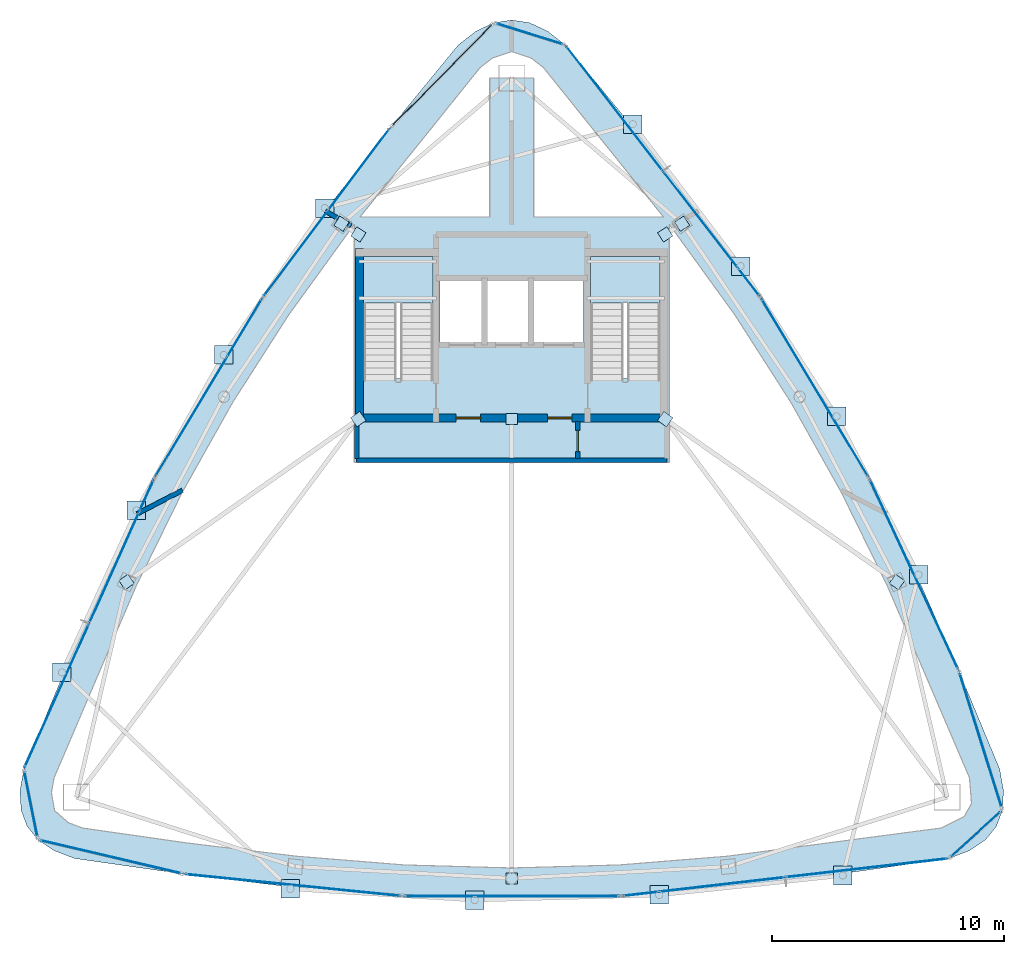
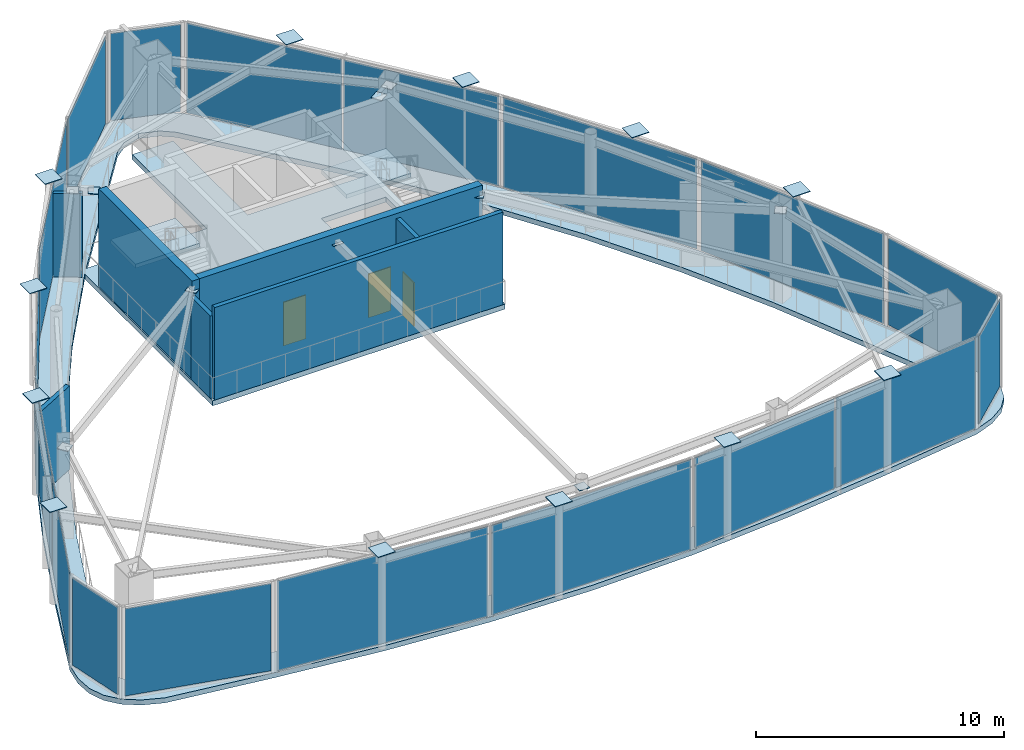
# One storey, part 16 of 20: 40 plates, 7 walls, 3 doors, 3 slabs, 3 openings, 17 elements without a shape of their own.
"""IFC4 building model written with IfcOpenShell, lengths in metres."""

from ifc_helpers import new_model, si_unit, direction, frame, frame_2d, origin, origin_2d, place, context, subcontext, project, spatial, polyline, rectangle, outline, extrude, material, layer, layer_set, type_object, element, fill, aggregate, save


model = new_model("IFC4")

# Units and contexts
model_context = context("Model", 3, precision=1e-05, world=origin(), true_north=direction((0.0, 1.0)))
body_context = subcontext(model_context, "Body", "Model", "MODEL_VIEW")
ifc_project = project(units=[si_unit("LENGTHUNIT", "METRE"), si_unit("AREAUNIT", "SQUARE_METRE"), si_unit("VOLUMEUNIT", "CUBIC_METRE"), si_unit("PLANEANGLEUNIT", "RADIAN"), si_unit("MASSUNIT", "GRAM", prefix="KILO")], contexts=[model_context])

# Site, building, storey
site_placement = place(None, origin())
site = spatial("IfcSite", under=ifc_project, at=site_placement, CompositionType="ELEMENT")
building_placement = place(site_placement, origin())
building = spatial("IfcBuilding", under=site, at=building_placement, Name="Orvanel Arch Residences", CompositionType="ELEMENT")
storey_placement = place(building_placement, frame((0.0, 0.0, 300.5)))
storey = spatial("IfcBuildingStorey", under=building, at=storey_placement, Name="L84", CompositionType="ELEMENT", Elevation=300.5)

# Plates
ifc_material_1 = material(Name="Structural steel AS/NZS 3678 Grade 350", Category="steel")
ifc_layer_1 = layer(ifc_material_1, 0.028076171875)
ifc_layer_set_1 = layer_set([ifc_layer_1], Name="Structural steel AS/NZS 3678 Grade 350")
plate_type_1 = type_object("IfcPlateType", Name="PL-CAP-28", PredefinedType="SHEET", material=ifc_layer_set_1)
for number, where, z_axis, x_axis, name in (
    (1, (26.375, 26.675048828125, 4.2861328125), (0.0, 0.0, 1.0), (0.818149717425, 0.575005252043, 0.0), "L84 hollow member end cap plate"),
    (2, (16.366943359375, 19.64208984375, 4.2861328125), (0.0, 0.0, 1.0), (0.818149717425, 0.575005252043, 0.0), "L84 hollow member end cap plate"),
    (3, (39.625, 26.675048828125, 4.2861328125), (0.0, 0.0, 1.0), (-0.818149717425, 0.575005252043, 0.0), "L84 hollow member end cap plate"),
    (4, (49.633056640625, 19.64208984375, 4.2861328125), (0.0, 0.0, 1.0), (-0.818149717425, 0.575005252043, 0.0), "L84 hollow member end cap plate"),
    (5, (26.375, 34.64990234375, 4.2861328125), (0.0, 0.0, 1.0), (-0.843391445813, 0.537299608347, 0.0), "L84 hollow member end cap plate"),
    (6, (25.64794921875, 35.113037109375, 4.2861328125), (0.0, 0.0, 1.0), (-0.843391445813, 0.537299608347, 0.0), "L84 hollow member end cap plate"),
    (7, (39.625, 34.64990234375, 4.2861328125), (0.0, 0.0, 1.0), (0.843391445813, 0.537299608347, 0.0), "L84 hollow member end cap plate"),
    (8, (40.35205078125, 35.113037109375, 4.2861328125), (0.0, 0.0, 1.0), (0.843391445813, 0.537299608347, 0.0), "L84 hollow member end cap plate"),
    (9, (33.0, 26.675048828125, 4.2861328125), (0.0, 0.0, 1.0), (0.0, 1.0, 0.0), "L84 hollow member end cap plate"),
    (10, (33.0, 6.843994140625, 4.2861328125), (0.0, 0.0, 1.0), (0.0, 1.0, 0.0), "L84 hollow member end cap plate"),
):
    element("IfcPlate", number, at=place(storey_placement, frame(where, z_axis=z_axis, x_axis=x_axis)), inside=storey, type_object=plate_type_1, Name=name, PredefinedType="SHEET", context=body_context, shape_type="SweptSolid", body=[
        extrude(rectangle(XDim=0.47998046875, YDim=0.47998046875, at=origin_2d()), origin(), (0.0, 0.0, 1.0), 0.028076171875),
    ])
ifc_layer_2 = layer(ifc_material_1, 0.031982421875)
ifc_layer_set_2 = layer_set([ifc_layer_2], Name="Structural steel AS/NZS 3678 Grade 350")
plate_type_2 = type_object("IfcPlateType", Name="PL-CAP-32", PredefinedType="SHEET", material=ifc_layer_set_2)
for number, where, z_axis, x_axis, name in (
    (11, (24.929931640625, 35.785888671875, 4.7841796875), (0.0, 0.0, 1.0), (1.0, 0.0, 0.0), "L84 hollow member end cap plate"),
    (12, (20.56201171875, 29.446044921875, 4.7841796875), (0.0, 0.0, 1.0), (1.0, 0.0, 0.0), "L84 hollow member end cap plate"),
    (13, (16.794921875, 22.73388671875, 4.7841796875), (0.0, 0.0, 1.0), (1.0, 0.0, 0.0), "L84 hollow member end cap plate"),
    (14, (13.577880859375, 15.740966796875, 4.7841796875), (0.0, 0.0, 1.0), (1.0, 0.0, 0.0), "L84 hollow member end cap plate"),
    (15, (23.44189453125, 6.39404296875, 4.7841796875), (0.0, 0.0, 1.0), (1.0, 0.0, 0.0), "L84 hollow member end cap plate"),
    (16, (31.39892578125, 5.908935546875, 4.7841796875), (0.0, 0.0, 1.0), (1.0, 0.0, 0.0), "L84 hollow member end cap plate"),
    (17, (39.366943359375, 6.131103515625, 4.7841796875), (0.0, 0.0, 1.0), (1.0, 0.0, 0.0), "L84 hollow member end cap plate"),
    (18, (47.29296875, 6.969970703125, 4.7841796875), (0.0, 0.0, 1.0), (1.0, 0.0, 0.0), "L84 hollow member end cap plate"),
    (19, (50.56396484375, 19.9580078125, 4.7841796875), (0.0, 0.0, 1.0), (1.0, 0.0, 0.0), "L84 hollow member end cap plate"),
    (20, (47.027099609375, 26.7958984375, 4.7841796875), (0.0, 0.0, 1.0), (1.0, 0.0, 0.0), "L84 hollow member end cap plate"),
    (21, (42.87890625, 33.280029296875, 4.7841796875), (0.0, 0.0, 1.0), (1.0, 0.0, 0.0), "L84 hollow member end cap plate"),
    (22, (38.22412109375, 39.409912109375, 4.7841796875), (0.0, 0.0, 1.0), (1.0, 0.0, 0.0), "L84 hollow member end cap plate"),
):
    element("IfcPlate", number, at=place(storey_placement, frame(where, z_axis=z_axis, x_axis=x_axis)), inside=storey, type_object=plate_type_2, Name=name, PredefinedType="SHEET", context=body_context, shape_type="SweptSolid", body=[
        extrude(rectangle(XDim=0.800048828125, YDim=0.800048828125, at=origin_2d()), origin(), (0.0, 0.0, 1.0), 0.031982421875),
    ])

# Curtain wall, plate
ifc_material_2 = material(Name="Bronze-anodised aluminium AA6063-T6", Category="aluminium")
ifc_layer_3 = layer(ifc_material_2, 0.2099609375)
ifc_layer_set_3 = layer_set([ifc_layer_3], Name="Bronze-anodised aluminium AA6063-T6")
curtain_wall_type = type_object("IfcCurtainWallType", Name="CW7-TOP-SYS", PredefinedType="NOTDEFINED", material=ifc_layer_set_3)
curtain_wall_1_placement = place(storey_placement, origin())
curtain_wall_1 = element("IfcCurtainWall", 23, at=curtain_wall_1_placement, inside=storey, type_object=curtain_wall_type, Name="L84 CW7-TOP-SYS Unitised Curtain Wall", PredefinedType="NOTDEFINED")
ifc_material_3 = material(Name="Double-glazed solar-control low-E safety glass", Category="glass")
ifc_layer_4 = layer(ifc_material_3, 0.031982421875)
ifc_layer_set_4 = layer_set([ifc_layer_4], Name="Double-glazed solar-control low-E safety glass")
plate_type_3 = type_object("IfcPlateType", Name="PNL-GLZ-32", PredefinedType="CURTAIN_PANEL", material=ifc_layer_set_4)
plate_1_placement = place(storey_placement, frame((33.771484375, 43.30859375, 0.1298828125), z_axis=(0.0, 0.0, 1.0), x_axis=(-0.954819263057, 0.297187104186, 0.0)))
plate_1 = element("IfcPlate", 24, at=plate_1_placement, type_object=plate_type_3, Name="CW-S7 panel 1.1", PredefinedType="CURTAIN_PANEL", context=body_context, shape_type="SweptSolid", body=[
    extrude(rectangle(XDim=2.893310546875, YDim=0.031982421875, at=origin_2d()), origin(), (0.0, 0.0, 1.0), 4.2900390625),
])
aggregate(curtain_wall_1, [plate_1])

curtain_wall_2_placement = place(storey_placement, origin())
curtain_wall_2 = element("IfcCurtainWall", 25, at=curtain_wall_2_placement, inside=storey, type_object=curtain_wall_type, Name="L84 CW7-TOP-SYS Unitised Curtain Wall", PredefinedType="NOTDEFINED")
plate_2_placement = place(storey_placement, frame((29.99560546875, 41.528564453125, 0.1298828125), z_axis=(0.0, 0.0, 1.0), x_axis=(-0.702658700907, -0.71152705503, 0.0)))
plate_2 = element("IfcPlate", 26, at=plate_2_placement, type_object=plate_type_3, Name="CW-S7 panel 1.1", PredefinedType="CURTAIN_PANEL", context=body_context, shape_type="SweptSolid", body=[
    extrude(rectangle(XDim=6.0146484375, YDim=0.031982421875, at=origin_2d()), origin(), (0.0, 0.0, 1.0), 4.2900390625),
])
aggregate(curtain_wall_2, [plate_2])

curtain_wall_3_placement = place(storey_placement, origin())
curtain_wall_3 = element("IfcCurtainWall", 27, at=curtain_wall_3_placement, inside=storey, type_object=curtain_wall_type, Name="L84 CW7-TOP-SYS Unitised Curtain Wall", PredefinedType="NOTDEFINED")
plate_3_placement = place(storey_placement, frame((12.236572265625, 10.03857421875, 0.1298828125), z_axis=(0.0, 0.0, 1.0), x_axis=(0.195615366274, -0.980680696495, 0.0)))
plate_3 = element("IfcPlate", 28, at=plate_3_placement, type_object=plate_type_3, Name="CW-S7 panel 1.1", PredefinedType="CURTAIN_PANEL", context=body_context, shape_type="SweptSolid", body=[
    extrude(rectangle(XDim=2.7724609375, YDim=0.031982421875, at=origin_2d()), origin(), (0.0, 0.0, 1.0), 4.2900390625),
])
aggregate(curtain_wall_3, [plate_3])

curtain_wall_4_placement = place(storey_placement, origin())
curtain_wall_4 = element("IfcCurtainWall", 29, at=curtain_wall_4_placement, inside=storey, type_object=curtain_wall_type, Name="L84 CW7-TOP-SYS Unitised Curtain Wall", PredefinedType="NOTDEFINED")
plate_4_placement = place(storey_placement, frame((15.689453125, 7.77197265625, 0.1298828125), z_axis=(0.0, 0.0, 1.0), x_axis=(0.973510919271, -0.22864052585, 0.0)))
plate_4 = element("IfcPlate", 30, at=plate_4_placement, type_object=plate_type_3, Name="CW-S7 panel 1.1", PredefinedType="CURTAIN_PANEL", context=body_context, shape_type="SweptSolid", body=[
    extrude(rectangle(XDim=6.12939453125, YDim=0.031982421875, at=origin_2d()), origin(), (0.0, 0.0, 1.0), 4.2900390625),
])
aggregate(curtain_wall_4, [plate_4])

curtain_wall_5_placement = place(storey_placement, origin())
curtain_wall_5 = element("IfcCurtainWall", 31, at=curtain_wall_5_placement, inside=storey, type_object=curtain_wall_type, Name="L84 CW7-TOP-SYS Unitised Curtain Wall", PredefinedType="NOTDEFINED")
plate_5_placement = place(storey_placement, frame((53.035400390625, 8.75244140625, 0.1298828125), z_axis=(0.0, 0.0, 1.0), x_axis=(0.740131415499, 0.672462257522, 0.0)))
plate_5 = element("IfcPlate", 32, at=plate_5_placement, type_object=plate_type_3, Name="CW-S7 panel 1.1", PredefinedType="CURTAIN_PANEL", context=body_context, shape_type="SweptSolid", body=[
    extrude(rectangle(XDim=2.773681640625, YDim=0.031982421875, at=origin_2d()), origin(), (0.0, 0.0, 1.0), 4.2900390625),
])
aggregate(curtain_wall_5, [plate_5])

curtain_wall_6_placement = place(storey_placement, origin())
curtain_wall_6 = element("IfcCurtainWall", 33, at=curtain_wall_6_placement, inside=storey, type_object=curtain_wall_type, Name="L84 CW7-TOP-SYS Unitised Curtain Wall", PredefinedType="NOTDEFINED")
plate_6_placement = place(storey_placement, frame((53.2451171875, 12.8095703125, 0.1298828125), z_axis=(0.0, 0.0, 1.0), x_axis=(-0.298901573542, 0.954283945864, 0.0)))
plate_6 = element("IfcPlate", 34, at=plate_6_placement, type_object=plate_type_3, Name="CW-S7 panel 1.1", PredefinedType="CURTAIN_PANEL", context=body_context, shape_type="SweptSolid", body=[
    extrude(rectangle(XDim=5.9697265625, YDim=0.031982421875, at=origin_2d()), origin(), (0.0, 0.0, 1.0), 4.2900390625),
])
aggregate(curtain_wall_6, [plate_6])

curtain_wall_7_placement = place(storey_placement, origin())
curtain_wall_7 = element("IfcCurtainWall", 35, at=curtain_wall_7_placement, inside=storey, type_object=curtain_wall_type, Name="L84 CW7-TOP-SYS Unitised Curtain Wall", PredefinedType="NOTDEFINED")
plate_7_placement = place(storey_placement, frame((25.009521484375, 35.60498046875, 0.06494140625), z_axis=(0.0, 0.0, 1.0), x_axis=(-0.600876351509, -0.799341985759, 0.0)))
plate_7 = element("IfcPlate", 36, at=plate_7_placement, type_object=plate_type_3, Name="CW-S7 panel 1.1", PredefinedType="CURTAIN_PANEL", context=body_context, shape_type="SweptSolid", body=[
    extrude(rectangle(XDim=8.97509765625, YDim=0.031982421875, at=origin_2d()), origin(), (0.0, 0.0, 1.0), 4.419921875),
])
aggregate(curtain_wall_7, [plate_7])

curtain_wall_8_placement = place(storey_placement, origin())
curtain_wall_8 = element("IfcCurtainWall", 37, at=curtain_wall_8_placement, inside=storey, type_object=curtain_wall_type, Name="L84 CW7-TOP-SYS Unitised Curtain Wall", PredefinedType="NOTDEFINED")
plate_8_placement = place(storey_placement, frame((19.912109375, 28.034423828125, 0.06494140625), z_axis=(0.0, 0.0, 1.0), x_axis=(-0.514447133788, -0.857522096821, 0.0)))
plate_8 = element("IfcPlate", 38, at=plate_8_placement, type_object=plate_type_3, Name="CW-S7 panel 1.1", PredefinedType="CURTAIN_PANEL", context=body_context, shape_type="SweptSolid", body=[
    extrude(rectangle(XDim=8.923828125, YDim=0.031982421875, at=origin_2d()), origin(), (0.0, 0.0, 1.0), 4.419921875),
])
aggregate(curtain_wall_8, [plate_8])

# Curtain wall, plates
curtain_wall_9_placement = place(storey_placement, origin())
curtain_wall_9 = element("IfcCurtainWall", 39, at=curtain_wall_9_placement, inside=storey, type_object=curtain_wall_type, Name="L84 CW7-TOP-SYS Unitised Curtain Wall", PredefinedType="NOTDEFINED")
plate_9_placement = place(storey_placement, frame((16.147216796875, 20.96044921875, 0.06494140625), z_axis=(0.0, 0.0, 1.0), x_axis=(-0.40935286193, -0.912376147447, 0.0)))
plate_9 = element("IfcPlate", 40, at=plate_9_placement, type_object=plate_type_3, Name="CW-S7 panel 1.1", PredefinedType="CURTAIN_PANEL", context=body_context, shape_type="SweptSolid", body=[
    extrude(rectangle(XDim=6.751953125, YDim=0.031982421875, at=origin_2d()), origin(), (0.0, 0.0, 1.0), 4.419921875),
])
plate_10_placement = place(storey_placement, frame((13.352783203125, 14.731689453125, 0.06494140625), z_axis=(0.0, 0.0, 1.0), x_axis=(-0.40935286193, -0.912376147447, 0.0)))
plate_10 = element("IfcPlate", 41, at=plate_10_placement, type_object=plate_type_3, Name="CW-S7 panel 2.1", PredefinedType="CURTAIN_PANEL", context=body_context, shape_type="SweptSolid", body=[
    extrude(rectangle(XDim=6.751953125, YDim=0.031982421875, at=origin_2d()), origin(), (0.0, 0.0, 1.0), 4.419921875),
])
aggregate(curtain_wall_9, [plate_9, plate_10])

# Curtain wall, plate
curtain_wall_10_placement = place(storey_placement, origin())
curtain_wall_10 = element("IfcCurtainWall", 42, at=curtain_wall_10_placement, inside=storey, type_object=curtain_wall_type, Name="L84 CW7-TOP-SYS Unitised Curtain Wall", PredefinedType="NOTDEFINED")
plate_11_placement = place(storey_placement, frame((23.55859375, 6.554931640625, 0.06494140625), z_axis=(0.0, 0.0, 1.0), x_axis=(0.994932912487, -0.10054103466, 0.0)))
plate_11 = element("IfcPlate", 43, at=plate_11_placement, type_object=plate_type_3, Name="CW-S7 panel 1.1", PredefinedType="CURTAIN_PANEL", context=body_context, shape_type="SweptSolid", body=[
    extrude(rectangle(XDim=9.298828125, YDim=0.031982421875, at=origin_2d()), origin(), (0.0, 0.0, 1.0), 4.419921875),
])
aggregate(curtain_wall_10, [plate_11])

curtain_wall_11_placement = place(storey_placement, origin())
curtain_wall_11 = element("IfcCurtainWall", 44, at=curtain_wall_11_placement, inside=storey, type_object=curtain_wall_type, Name="L84 CW7-TOP-SYS Unitised Curtain Wall", PredefinedType="NOTDEFINED")
plate_12_placement = place(storey_placement, frame((33.0, 6.077880859375, 0.06494140625), z_axis=(0.0, 0.0, 1.0), x_axis=(1.0, 0.0, 0.0)))
plate_12 = element("IfcPlate", 45, at=plate_12_placement, type_object=plate_type_3, Name="CW-S7 panel 1.1", PredefinedType="CURTAIN_PANEL", context=body_context, shape_type="SweptSolid", body=[
    extrude(rectangle(XDim=9.251953125, YDim=0.031982421875, at=origin_2d()), origin(), (0.0, 0.0, 1.0), 4.419921875),
])
aggregate(curtain_wall_11, [plate_12])

# Curtain wall, plates
curtain_wall_12_placement = place(storey_placement, origin())
curtain_wall_12 = element("IfcCurtainWall", 46, at=curtain_wall_12_placement, inside=storey, type_object=curtain_wall_type, Name="L84 CW7-TOP-SYS Unitised Curtain Wall", PredefinedType="NOTDEFINED")
plate_13_placement = place(storey_placement, frame((41.2900390625, 6.488037109375, 0.06494140625), z_axis=(0.0, 0.0, 1.0), x_axis=(0.9934526127, 0.11424494002, 0.0)))
plate_13 = element("IfcPlate", 47, at=plate_13_placement, type_object=plate_type_3, Name="CW-S7 panel 1.1", PredefinedType="CURTAIN_PANEL", context=body_context, shape_type="SweptSolid", body=[
    extrude(rectangle(XDim=6.9951171875, YDim=0.031982421875, at=origin_2d()), origin(), (0.0, 0.0, 1.0), 4.419921875),
])
plate_14_placement = place(storey_placement, frame((48.31396484375, 7.2958984375, 0.06494140625), z_axis=(0.0, 0.0, 1.0), x_axis=(0.9934526127, 0.11424494002, 0.0)))
plate_14 = element("IfcPlate", 48, at=plate_14_placement, type_object=plate_type_3, Name="CW-S7 panel 2.1", PredefinedType="CURTAIN_PANEL", context=body_context, shape_type="SweptSolid", body=[
    extrude(rectangle(XDim=6.9951171875, YDim=0.031982421875, at=origin_2d()), origin(), (0.0, 0.0, 1.0), 4.419921875),
])
aggregate(curtain_wall_12, [plate_13, plate_14])

# Curtain wall, plate
curtain_wall_13_placement = place(storey_placement, origin())
curtain_wall_13 = element("IfcCurtainWall", 49, at=curtain_wall_13_placement, inside=storey, type_object=curtain_wall_type, Name="L84 CW7-TOP-SYS Unitised Curtain Wall", PredefinedType="NOTDEFINED")
plate_15_placement = place(storey_placement, frame((50.366943359375, 19.973388671875, 0.06494140625), z_axis=(0.0, 0.0, 1.0), x_axis=(-0.422363438385, 0.906426569511, 0.0)))
plate_15 = element("IfcPlate", 50, at=plate_15_placement, type_object=plate_type_3, Name="CW-S7 panel 1.1", PredefinedType="CURTAIN_PANEL", context=body_context, shape_type="SweptSolid", body=[
    extrude(rectangle(XDim=8.974853515625, YDim=0.031982421875, at=origin_2d()), origin(), (0.0, 0.0, 1.0), 4.419921875),
])
aggregate(curtain_wall_13, [plate_15])

curtain_wall_14_placement = place(storey_placement, origin())
curtain_wall_14 = element("IfcCurtainWall", 51, at=curtain_wall_14_placement, inside=storey, type_object=curtain_wall_type, Name="L84 CW7-TOP-SYS Unitised Curtain Wall", PredefinedType="NOTDEFINED")
plate_16_placement = place(storey_placement, frame((46.087890625, 28.034423828125, 0.06494140625), z_axis=(0.0, 0.0, 1.0), x_axis=(-0.514447133788, 0.857522096821, 0.0)))
plate_16 = element("IfcPlate", 52, at=plate_16_placement, type_object=plate_type_3, Name="CW-S7 panel 1.1", PredefinedType="CURTAIN_PANEL", context=body_context, shape_type="SweptSolid", body=[
    extrude(rectangle(XDim=8.923828125, YDim=0.031982421875, at=origin_2d()), origin(), (0.0, 0.0, 1.0), 4.419921875),
])
aggregate(curtain_wall_14, [plate_16])

# Curtain wall, plates
curtain_wall_15_placement = place(storey_placement, origin())
curtain_wall_15 = element("IfcCurtainWall", 53, at=curtain_wall_15_placement, inside=storey, type_object=curtain_wall_type, Name="L84 CW7-TOP-SYS Unitised Curtain Wall", PredefinedType="NOTDEFINED")
plate_17_placement = place(storey_placement, frame((41.619384765625, 34.686279296875, 0.06494140625), z_axis=(0.0, 0.0, 1.0), x_axis=(-0.612259873102, 0.790656592833, 0.0)))
plate_17 = element("IfcPlate", 54, at=plate_17_placement, type_object=plate_type_3, Name="CW-S7 panel 1.1", PredefinedType="CURTAIN_PANEL", context=body_context, shape_type="SweptSolid", body=[
    extrude(rectangle(XDim=6.75146484375, YDim=0.031982421875, at=origin_2d()), origin(), (0.0, 0.0, 1.0), 4.419921875),
])
plate_18_placement = place(storey_placement, frame((37.439697265625, 40.083740234375, 0.06494140625), z_axis=(0.0, 0.0, 1.0), x_axis=(-0.612259873102, 0.790656592833, 0.0)))
plate_18 = element("IfcPlate", 55, at=plate_18_placement, type_object=plate_type_3, Name="CW-S7 panel 2.1", PredefinedType="CURTAIN_PANEL", context=body_context, shape_type="SweptSolid", body=[
    extrude(rectangle(XDim=6.75146484375, YDim=0.031982421875, at=origin_2d()), origin(), (0.0, 0.0, 1.0), 4.419921875),
])
aggregate(curtain_wall_15, [plate_17, plate_18])

# Slab
ifc_material_4 = material(Name="Concrete N40 (40 MPa)", Category="concrete")
ifc_layer_5 = layer(ifc_material_4, 0.25)
ifc_layer_set_5 = layer_set([ifc_layer_5], Name="Concrete N40 (40 MPa)")
slab_type_1 = type_object("IfcSlabType", Name="SLB-CRN-250", PredefinedType="FLOOR", material=ifc_layer_set_5)
slab_1_placement = place(storey_placement, frame((0.0, 0.0, -0.25)))
element("IfcSlab", 56, at=slab_1_placement, inside=storey, type_object=slab_type_1, Name="L84 Crown Conservatory Ring Gallery Slab", PredefinedType="FLOOR", context=body_context, shape_type="SweptSolid", body=[
    extrude(outline(polyline([(35.31494140625, 42.827880859375), (34.54296875, 43.428955078125), (33.77197265625, 43.7890625), (33.0, 43.908935546875), (32.22802734375, 43.7890625), (31.45703125, 43.428955078125), (30.68505859375, 42.827880859375), (27.762939453125, 39.26806640625), (24.927978515625, 35.654052734375), (22.256103515625, 31.94189453125), (19.797119140625, 28.10400390625), (17.568115234375, 24.126953125), (15.552001953125, 20.02197265625), (13.697998046875, 15.820068359375), (11.931884765625, 11.56494140625), (11.76611328125, 10.6220703125), (11.81201171875, 9.799072265625), (12.071044921875, 9.094970703125), (12.541015625, 8.511962890625), (13.222900390625, 8.049072265625), (14.116943359375, 7.7060546875), (18.837890625, 7.031982421875), (23.55908203125, 6.4599609375), (28.279052734375, 6.077880859375), (33.0, 5.944091796875), (37.720947265625, 6.077880859375), (42.44091796875, 6.4599609375), (47.162109375, 7.031982421875), (51.883056640625, 7.7060546875), (52.777099609375, 8.049072265625), (53.458984375, 8.511962890625), (53.928955078125, 9.094970703125), (54.18798828125, 9.799072265625), (54.23388671875, 10.6220703125), (54.068115234375, 11.56494140625), (52.302001953125, 15.820068359375), (50.447998046875, 20.02197265625), (48.431884765625, 24.126953125), (46.202880859375, 28.10400390625), (43.743896484375, 31.94189453125), (41.072021484375, 35.654052734375), (38.237060546875, 39.26806640625), (35.31494140625, 42.827880859375)]), holes=[polyline([(26.60009765625, 28.429931640625), (26.60009765625, 33.699951171875), (29.60009765625, 33.699951171875), (29.60009765625, 28.429931640625), (26.60009765625, 28.429931640625)]), polyline([(36.39990234375, 28.429931640625), (36.39990234375, 33.699951171875), (39.39990234375, 33.699951171875), (39.39990234375, 28.429931640625), (36.39990234375, 28.429931640625)]), polyline([(29.89990234375, 32.64990234375), (31.75, 32.64990234375), (31.75, 29.949951171875), (29.89990234375, 29.949951171875), (29.89990234375, 32.64990234375)]), polyline([(31.89990234375, 32.64990234375), (33.75, 32.64990234375), (33.75, 29.949951171875), (31.89990234375, 29.949951171875), (31.89990234375, 32.64990234375)]), polyline([(33.89990234375, 32.64990234375), (36.10009765625, 32.64990234375), (36.10009765625, 29.949951171875), (33.89990234375, 29.949951171875), (33.89990234375, 32.64990234375)]), polyline([(39.554931640625, 35.39990234375), (33.949951171875, 35.39990234375), (33.949951171875, 41.39794921875), (32.050048828125, 41.39794921875), (32.050048828125, 35.39990234375), (26.445068359375, 35.39990234375), (31.633056640625, 41.85498046875), (32.166015625, 42.27001953125), (33.0, 42.54296875), (33.833984375, 42.27001953125), (34.366943359375, 41.85498046875), (39.554931640625, 35.39990234375)]), polyline([(42.626953125, 31.18310546875), (45.044921875, 27.408935546875), (47.236083984375, 23.4990234375), (49.22412109375, 19.451904296875), (52.763916015625, 11.18505859375), (52.85107421875, 10.075927734375), (52.533935546875, 9.51611328125), (51.5419921875, 9.02099609375), (42.304931640625, 7.802978515625), (37.64697265625, 7.426025390625), (33.0, 7.294921875), (28.35302734375, 7.426025390625), (23.695068359375, 7.802978515625), (19.014892578125, 8.3701171875), (14.4580078125, 9.02099609375), (13.85205078125, 9.25390625), (13.260986328125, 9.76904296875), (13.123046875, 10.5419921875), (13.236083984375, 11.18505859375), (16.77587890625, 19.451904296875), (18.763916015625, 23.4990234375), (20.955078125, 27.408935546875), (23.373046875, 31.18310546875), (26.199951171875, 35.087890625), (26.199951171875, 24.800048828125), (39.800048828125, 24.800048828125), (39.800048828125, 35.087890625), (42.626953125, 31.18310546875)])]), origin(), (0.0, 0.0, 1.0), 0.25),
])

# Stair, slab
ifc_material_5 = material(Name="Precast concrete N50 (50 MPa)", Category="concrete")
stair_type = type_object("IfcStairType", Name="STR-DOG-184", PredefinedType="USERDEFINED", material=ifc_material_5)
stair_1_placement = place(storey_placement, origin())
stair_1 = element("IfcStair", 57, at=stair_1_placement, inside=storey, type_object=stair_type, Name="L84 Fire-Isolated Core Exit Stair 1", ObjectType="TWO_RETURN_STAIR", PredefinedType="USERDEFINED")
ifc_layer_6 = layer(ifc_material_4, 0.199951171875)
ifc_layer_set_6 = layer_set([ifc_layer_6], Name="Concrete N40 (40 MPa)")
slab_type_2 = type_object("IfcSlabType", Name="SLB-LND-200", PredefinedType="LANDING", material=ifc_layer_set_6)
slab_2_placement = place(storey_placement, frame((0.0, 0.0, 2.199951171875)))
slab_2 = element("IfcSlab", 58, at=slab_2_placement, type_object=slab_type_2, Name="ST-1 landing 1", PredefinedType="LANDING", context=body_context, shape_type="SweptSolid", body=[
    extrude(outline(polyline([(29.60009765625, 31.679931640625), (29.60009765625, 33.699951171875), (26.60009765625, 33.699951171875), (26.60009765625, 31.679931640625), (29.60009765625, 31.679931640625)])), origin(), (0.0, 0.0, 1.0), 0.199951171875),
])
aggregate(stair_1, [slab_2])

stair_2_placement = place(storey_placement, origin())
stair_2 = element("IfcStair", 59, at=stair_2_placement, inside=storey, type_object=stair_type, Name="L84 Fire-Isolated Core Exit Stair 2", ObjectType="TWO_RETURN_STAIR", PredefinedType="USERDEFINED")
slab_3_placement = place(storey_placement, frame((0.0, 0.0, 2.199951171875)))
slab_3 = element("IfcSlab", 60, at=slab_3_placement, type_object=slab_type_2, Name="ST-2 landing 1", PredefinedType="LANDING", context=body_context, shape_type="SweptSolid", body=[
    extrude(outline(polyline([(39.39990234375, 31.679931640625), (39.39990234375, 33.699951171875), (36.39990234375, 33.699951171875), (36.39990234375, 31.679931640625), (39.39990234375, 31.679931640625)])), origin(), (0.0, 0.0, 1.0), 0.199951171875),
])
aggregate(stair_2, [slab_3])

# Wall, openings, doors
ifc_material_6 = material(Name="Concrete N50 (50 MPa)", Category="concrete")
ifc_layer_7 = layer(ifc_material_6, 0.35009765625)
ifc_layer_set_7 = layer_set([ifc_layer_7], Name="Concrete N50 (50 MPa)")
wall_type_1 = type_object("IfcWallType", Name="SW-CORE-350", PredefinedType="SHEAR", material=ifc_layer_set_7)
wall_1_placement = place(storey_placement, frame((26.25, 26.72509765625, 0.0), z_axis=(0.0, 0.0, 1.0), x_axis=(1.0, 0.0, 0.0)))
wall_1 = element("IfcWall", 61, at=wall_1_placement, inside=storey, type_object=wall_type_1, Name="L84 South Core Shear Wall", PredefinedType="SHEAR", context=body_context, shape_type="SweptSolid", body=[
    extrude(rectangle(XDim=13.5, YDim=0.35009765625, at=frame_2d((6.75, 0.0))), origin(), (0.0, 0.0, 1.0), 4.800048828125),
])
opening_1_placement = place(wall_1_placement, frame((4.35009765625, 0.0, 0.0)))
opening_1 = element("IfcOpeningElement", 62, at=opening_1_placement, cuts=wall_1, Name="Opening DF-060", PredefinedType="OPENING", context=body_context, shape_type="SweptSolid", body=[
    extrude(rectangle(XDim=1.050048828125, YDim=2.14990234375, at=frame_2d((0.52490234375, 1.074951171875))), frame((0.0, 0.18505859375, 0.0), z_axis=(0.0, -1.0, 0.0), x_axis=(1.0, 0.0, 0.0)), (0.0, 0.0, 1.0), 0.3701171875),
])
opening_2_placement = place(wall_1_placement, frame((8.300048828125, 0.0, 0.0)))
opening_2 = element("IfcOpeningElement", 63, at=opening_2_placement, cuts=wall_1, Name="Opening DF-060", PredefinedType="OPENING", context=body_context, shape_type="SweptSolid", body=[
    extrude(rectangle(XDim=1.050048828125, YDim=2.14990234375, at=frame_2d((0.52490234375, 1.074951171875))), frame((0.0, 0.18505859375, 0.0), z_axis=(0.0, -1.0, 0.0), x_axis=(1.0, 0.0, 0.0)), (0.0, 0.0, 1.0), 0.3701171875),
])
ifc_material_7 = material(Name="Galvanised steel fire-resisting door assembly", Category="steel")
door_type_1 = type_object("IfcDoorType", Name="DR-FD60-1050", OperationType="NOTDEFINED", PredefinedType="DOOR", material=ifc_material_7)
door_1_placement = place(opening_1_placement, origin())
door_1 = element("IfcDoor", 64, at=door_1_placement, inside=storey, type_object=door_type_1, Name="DR-L84-FFL-W L84 West Smoke Lobby Door", OperationType="SINGLE_SWING_LEFT", OverallHeight=2.14990234375, OverallWidth=1.050048828125, PredefinedType="DOOR", context=body_context, shape_type="SweptSolid", body=[
    extrude(rectangle(XDim=1.050048828125, YDim=2.14990234375, at=frame_2d((0.52490234375, 1.074951171875))), frame((0.0, 0.02490234375, 0.0), z_axis=(0.0, -1.0, 0.0), x_axis=(1.0, 0.0, 0.0)), (0.0, 0.0, 1.0), 0.050048828125),
])
fill(opening_1, door_1)
door_2_placement = place(opening_2_placement, origin())
door_2 = element("IfcDoor", 65, at=door_2_placement, inside=storey, type_object=door_type_1, Name="DR-L84-FFL-E L84 East Smoke Lobby Door", OperationType="SINGLE_SWING_RIGHT", OverallHeight=2.14990234375, OverallWidth=1.050048828125, PredefinedType="DOOR", context=body_context, shape_type="SweptSolid", body=[
    extrude(rectangle(XDim=1.050048828125, YDim=2.14990234375, at=frame_2d((0.52490234375, 1.074951171875))), frame((0.0, 0.02490234375, 0.0), z_axis=(0.0, -1.0, 0.0), x_axis=(1.0, 0.0, 0.0)), (0.0, 0.0, 1.0), 0.050048828125),
])
fill(opening_2, door_2)

# Walls
wall_2_placement = place(storey_placement, frame((26.425048828125, 26.550048828125, 0.0), z_axis=(0.0, 0.0, 1.0), x_axis=(0.0, 1.0, 0.0)))
element("IfcWall", 66, at=wall_2_placement, inside=storey, type_object=wall_type_1, Name="L84 West Stair Shear Wall", PredefinedType="SHEAR", context=body_context, shape_type="SweptSolid", body=[
    extrude(rectangle(XDim=7.5, YDim=0.35009765625, at=frame_2d((3.75, 0.0))), origin(), (0.0, 0.0, 1.0), 4.800048828125),
])
ifc_material_8 = material(Name="Fire-rated plasterboard lined steel stud partition", Category="steel")
ifc_layer_8 = layer(ifc_material_8, 0.199951171875)
ifc_layer_set_8 = layer_set([ifc_layer_8], Name="Fire-rated plasterboard lined steel stud partition")
wall_type_2 = type_object("IfcWallType", Name="W-PLT-200", PredefinedType="PARTITIONING", material=ifc_layer_set_8)
wall_3_placement = place(storey_placement, frame((26.300048828125, 24.89990234375, 0.0), z_axis=(0.0, 0.0, 1.0), x_axis=(1.0, 0.0, 0.0)))
element("IfcWall", 67, at=wall_3_placement, inside=storey, type_object=wall_type_2, Name="L84 Crown Plant Apron South Wall", PredefinedType="PARTITIONING", context=body_context, shape_type="SweptSolid", body=[
    extrude(rectangle(XDim=13.39990234375, YDim=0.199951171875, at=frame_2d((6.699951171875, 0.0))), origin(), (0.0, 0.0, 1.0), 4.550048828125),
])
wall_4_placement = place(storey_placement, frame((26.300048828125, 24.985107421875, 0.0), z_axis=(0.0, 0.0, 1.0), x_axis=(0.0, 1.0, 0.0)))
element("IfcWall", 68, at=wall_4_placement, inside=storey, type_object=wall_type_2, Name="L84 Crown Plant Apron West Wall", PredefinedType="PARTITIONING", context=body_context, shape_type="SweptSolid", body=[
    extrude(rectangle(XDim=1.56494140625, YDim=0.199951171875, at=frame_2d((0.782470703125, 0.0))), origin(), (0.0, 0.0, 1.0), 4.054931640625),
])

# Wall, opening, door
wall_5_placement = place(storey_placement, frame((35.85009765625, 24.985107421875, 0.0), z_axis=(0.0, 0.0, 1.0), x_axis=(0.0, 1.0, 0.0)))
wall_5 = element("IfcWall", 69, at=wall_5_placement, inside=storey, type_object=wall_type_2, Name="L84 Crown Heat-Recovery Plant Wall", PredefinedType="PARTITIONING", context=body_context, shape_type="SweptSolid", body=[
    extrude(rectangle(XDim=1.579833984375, YDim=0.199951171875, at=frame_2d((0.7900390625, 0.0))), origin(), (0.0, 0.0, 1.0), 4.550048828125),
])
opening_3_placement = place(wall_5_placement, frame((0.287109375, 0.0, 0.0)))
opening_3 = element("IfcOpeningElement", 70, at=opening_3_placement, cuts=wall_5, Name="Opening DA-092", PredefinedType="OPENING", context=body_context, shape_type="SweptSolid", body=[
    extrude(rectangle(XDim=0.919921875, YDim=2.14990234375, at=frame_2d((0.4599609375, 1.074951171875))), frame((0.0, 0.10986328125, 0.0), z_axis=(0.0, -1.0, 0.0), x_axis=(1.0, 0.0, 0.0)), (0.0, 0.0, 1.0), 0.219970703125),
])
ifc_material_9 = material(Name="Solid-core European oak veneer fire door leaf", Category="wood")
door_type_2 = type_object("IfcDoorType", Name="DR-APT-920", OperationType="NOTDEFINED", PredefinedType="DOOR", material=ifc_material_9)
door_3_placement = place(opening_3_placement, origin())
door_3 = element("IfcDoor", 71, at=door_3_placement, inside=storey, type_object=door_type_2, Name="DR-L84-CRNE2 L84 Crown Winter Garden Mechanical Plant Door", OperationType="SINGLE_SWING_RIGHT", OverallHeight=2.14990234375, OverallWidth=0.919921875, PredefinedType="DOOR", context=body_context, shape_type="SweptSolid", body=[
    extrude(rectangle(XDim=0.919921875, YDim=2.14990234375, at=frame_2d((0.4599609375, 1.074951171875))), frame((0.0, 0.02490234375, 0.0), z_axis=(0.0, -1.0, 0.0), x_axis=(1.0, 0.0, 0.0)), (0.0, 0.0, 1.0), 0.050048828125),
])
fill(opening_3, door_3)

# Walls
wall_6_placement = place(storey_placement, frame((18.779052734375, 23.60498046875, 0.0), z_axis=(0.0, 0.0, 1.0), x_axis=(-0.887140685261, -0.461499084024, 0.0)))
element("IfcWall", 72, at=wall_6_placement, inside=storey, type_object=wall_type_2, Name="L84 Crown Catwalk Smoke Baffle Wall 2", PredefinedType="PARTITIONING", context=body_context, shape_type="SweptSolid", body=[
    extrude(rectangle(XDim=2.2060546875, YDim=0.199951171875, at=frame_2d((1.10302734375, 0.0))), origin(), (0.0, 0.0, 1.0), 4.10888671875),
])
wall_7_placement = place(storey_placement, frame((26.06103515625, 35.01708984375, 0.0), z_axis=(0.0, 0.0, 1.0), x_axis=(-0.865191492793, 0.501441602581, 0.0)))
element("IfcWall", 73, at=wall_7_placement, inside=storey, type_object=wall_type_2, Name="L84 Crown Catwalk Smoke Baffle Wall 4", PredefinedType="PARTITIONING", context=body_context, shape_type="SweptSolid", body=[
    extrude(rectangle(XDim=1.281982421875, YDim=0.199951171875, at=frame_2d((0.64111328125, 0.0))), origin(), (0.0, 0.0, 1.0), 4.10888671875),
])

save(model, "model.ifc")
